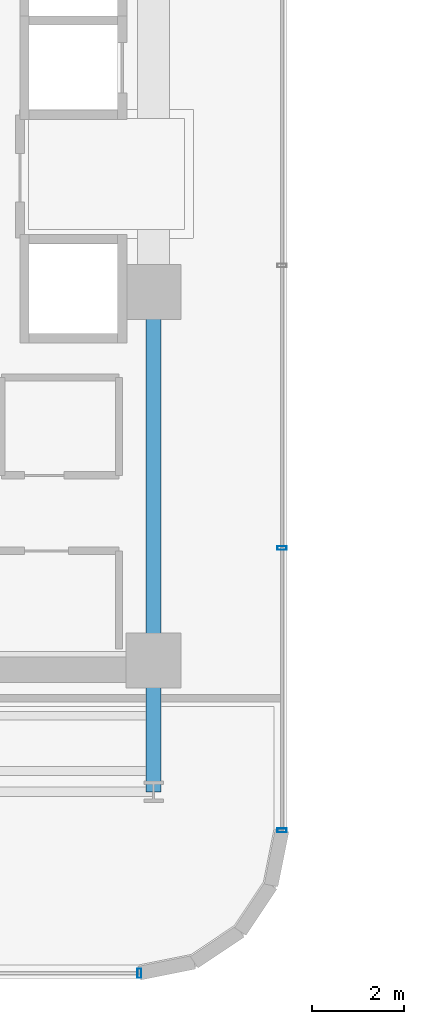
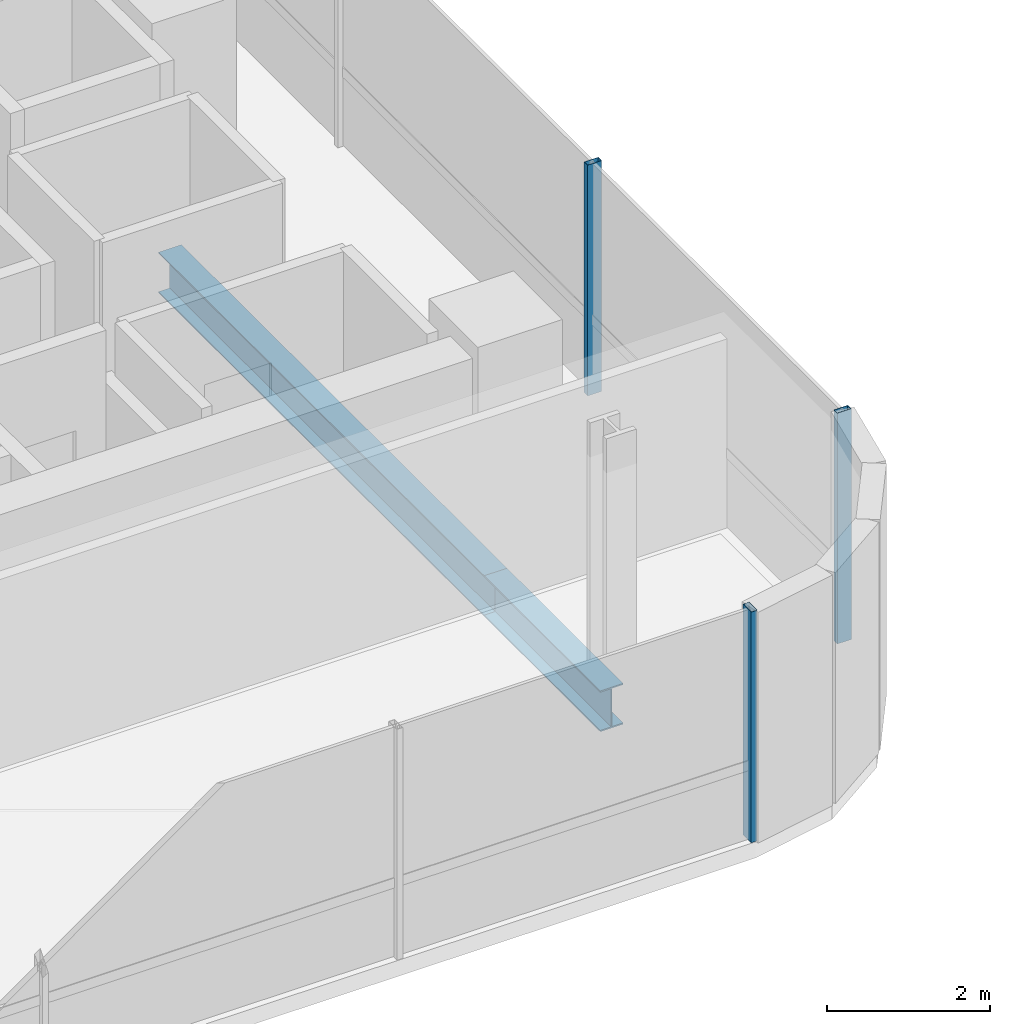
# One storey, part 6 of 33: 3 members, 2 beams, 2 elements without a shape of their own.
"""IFC4 building model written with IfcOpenShell, lengths in metres."""

from ifc_helpers import new_model, si_unit, direction, frame, origin, origin_2d, place, context, subcontext, project, spatial, hollow_rectangle, i_section, extrude, source, transform, mapped, material, material_profile, profile_set, type_object, element, aggregate, save


model = new_model("IFC4")

# Units and contexts
model_context = context("Model", 3, precision=1e-05, world=origin(), true_north=direction((0.0, 1.0)))
body_context = subcontext(model_context, "Body", "Model", "MODEL_VIEW")
ifc_project = project(units=[si_unit("LENGTHUNIT", "METRE"), si_unit("AREAUNIT", "SQUARE_METRE"), si_unit("VOLUMEUNIT", "CUBIC_METRE"), si_unit("PLANEANGLEUNIT", "RADIAN"), si_unit("MASSUNIT", "GRAM", prefix="KILO")], contexts=[model_context])

# Site, building, storey
site_placement = place(None, origin())
site = spatial("IfcSite", under=ifc_project, at=site_placement, CompositionType="ELEMENT")
building_placement = place(site_placement, origin())
building = spatial("IfcBuilding", under=site, at=building_placement, Name="Valdorenza Pilgrim Sanctuary Tower", CompositionType="ELEMENT")
storey_placement = place(building_placement, frame((0.0, 0.0, 157.5)))
storey = spatial("IfcBuildingStorey", under=building, at=storey_placement, Name="L40", CompositionType="ELEMENT", Elevation=157.5)

# Beams
ifc_material_1 = material(Name="Steel ASTM A992 Grade 50", Category="steel")
ifc_material_profile_1 = material_profile(ifc_material_1, i_section(OverallWidth=0.323974609375, OverallDepth=0.611083984375, WebThickness=0.0126953125, FlangeThickness=0.01904296875, at=origin_2d()), Name="W24X104")
ifc_profile_set_1 = profile_set([ifc_material_profile_1], Name="Steel ASTM A992 Grade 50")
beam_type = type_object("IfcBeamType", Name="STR-BM-GRD-W24B", PredefinedType="BEAM", material=ifc_profile_set_1)
shared_shape_1 = source(origin(), body_context, "Body", "SweptSolid", [
    extrude(i_section(OverallWidth=0.323974609375, OverallDepth=0.611083984375, WebThickness=0.0126953125, FlangeThickness=0.01904296875, at=origin_2d()), origin(), (0.0, 0.0, 1.0), 8.0),
])
beam_1_placement = place(storey_placement, frame((-12.39990234375, -10.60009765625, -0.54541015625), z_axis=(0.0, 1.0, 0.0), x_axis=(-1.0, 0.0, 0.0)))
element("IfcBeam", 1, at=beam_1_placement, inside=storey, type_object=beam_type, Name="L40 Core Tie Girder CA-E-S1M0", PredefinedType="BEAM", context=body_context, shape_type="MappedRepresentation", body=[
    mapped(shared_shape_1, transform((0.0, 0.0, 0.0), x_axis=(1.0, 0.0, 0.0), y_axis=(0.0, 1.0, 0.0), z_axis=(0.0, 0.0, 1.0), scale=1.0)),
])
shared_shape_2 = source(origin(), body_context, "Body", "SweptSolid", [
    extrude(i_section(OverallWidth=0.323974609375, OverallDepth=0.611083984375, WebThickness=0.0126953125, FlangeThickness=0.01904296875, at=origin_2d()), origin(), (0.0, 0.0, 1.0), 2.849853515625),
])
beam_2_placement = place(storey_placement, frame((-12.39990234375, -13.449951171875, -0.54541015625), z_axis=(0.0, 1.0, 0.0), x_axis=(-1.0, 0.0, 0.0)))
element("IfcBeam", 2, at=beam_2_placement, inside=storey, type_object=beam_type, Name="L40 Floor Girder WA-S-LE", PredefinedType="BEAM", context=body_context, shape_type="MappedRepresentation", body=[
    mapped(shared_shape_2, transform((0.0, 0.0, 0.0), x_axis=(1.0, 0.0, 0.0), y_axis=(0.0, 1.0, 0.0), z_axis=(0.0, 0.0, 1.0), scale=1.0)),
])

# Curtain wall, members
ifc_material_2 = material(Name="Curtain-wall IGU glazing", Category="glass")
curtain_wall_type = type_object("IfcCurtainWallType", Name="CW-SYS-02", PredefinedType="NOTDEFINED", material=ifc_material_2)
curtain_wall_1_placement = place(storey_placement, origin())
curtain_wall_1 = element("IfcCurtainWall", 3, at=curtain_wall_1_placement, inside=storey, type_object=curtain_wall_type, Name="L40 Curtain Wall CW-L40-1-21", PredefinedType="NOTDEFINED")
ifc_material_3 = material(Name="Anodised aluminium AW-6060", Category="aluminium")
ifc_material_profile_2 = material_profile(ifc_material_3, hollow_rectangle(XDim=0.0849609375, YDim=0.199951171875, WallThickness=0.0048828125, at=origin_2d()), Name="ALU-M 200x85x5")
ifc_profile_set_2 = profile_set([ifc_material_profile_2], Name="Anodised aluminium AW-6060")
member_type = type_object("IfcMemberType", Name="CW-MUL-02", PredefinedType="MULLION", material=ifc_profile_set_2)
shared_shape_3 = source(origin(), body_context, "Body", "SweptSolid", [
    extrude(hollow_rectangle(XDim=0.0849609375, YDim=0.199951171875, WallThickness=0.0048828125, at=origin_2d()), origin(), (0.0, 0.0, 1.0), 3.4599609375),
])
member_1_placement = place(storey_placement, frame((-9.610107421875, -8.156005859375, 0.0), z_axis=(0.0, 0.0, 1.0), x_axis=(0.0, -1.0, 0.0)))
member_1 = element("IfcMember", 4, at=member_1_placement, type_object=member_type, Name="CW-L40-1-21 Mullion 3", PredefinedType="MULLION", context=body_context, shape_type="MappedRepresentation", body=[
    mapped(shared_shape_3, transform((0.0, 0.0, 0.0), x_axis=(1.0, 0.0, 0.0), y_axis=(0.0, 1.0, 0.0), z_axis=(0.0, 0.0, 1.0), scale=1.0)),
])
member_2_placement = place(storey_placement, frame((-9.610107421875, -14.289306640625, 0.0), z_axis=(0.0, 0.0, 1.0), x_axis=(0.0, -1.0, 0.0)))
member_2 = element("IfcMember", 5, at=member_2_placement, type_object=member_type, Name="CW-L40-1-21 Mullion 4", PredefinedType="MULLION", context=body_context, shape_type="MappedRepresentation", body=[
    mapped(shared_shape_3, transform((0.0, 0.0, 0.0), x_axis=(1.0, 0.0, 0.0), y_axis=(0.0, 1.0, 0.0), z_axis=(0.0, 0.0, 1.0), scale=1.0)),
])
aggregate(curtain_wall_1, [member_1, member_2])

# Curtain wall, member
curtain_wall_2_placement = place(storey_placement, origin())
curtain_wall_2 = element("IfcCurtainWall", 6, at=curtain_wall_2_placement, inside=storey, type_object=curtain_wall_type, Name="L40 Curtain Wall CW-L40-1-26", PredefinedType="NOTDEFINED")
member_3_placement = place(storey_placement, frame((-12.710693359375, -17.389892578125, 0.0), z_axis=(0.0, 0.0, 1.0), x_axis=(-1.0, 0.0, 0.0)))
member_3 = element("IfcMember", 7, at=member_3_placement, type_object=member_type, Name="CW-L40-1-26 Mullion 1", PredefinedType="MULLION", context=body_context, shape_type="MappedRepresentation", body=[
    mapped(shared_shape_3, transform((0.0, 0.0, 0.0), x_axis=(1.0, 0.0, 0.0), y_axis=(0.0, 1.0, 0.0), z_axis=(0.0, 0.0, 1.0), scale=1.0)),
])
aggregate(curtain_wall_2, [member_3])

save(model, "model.ifc")
